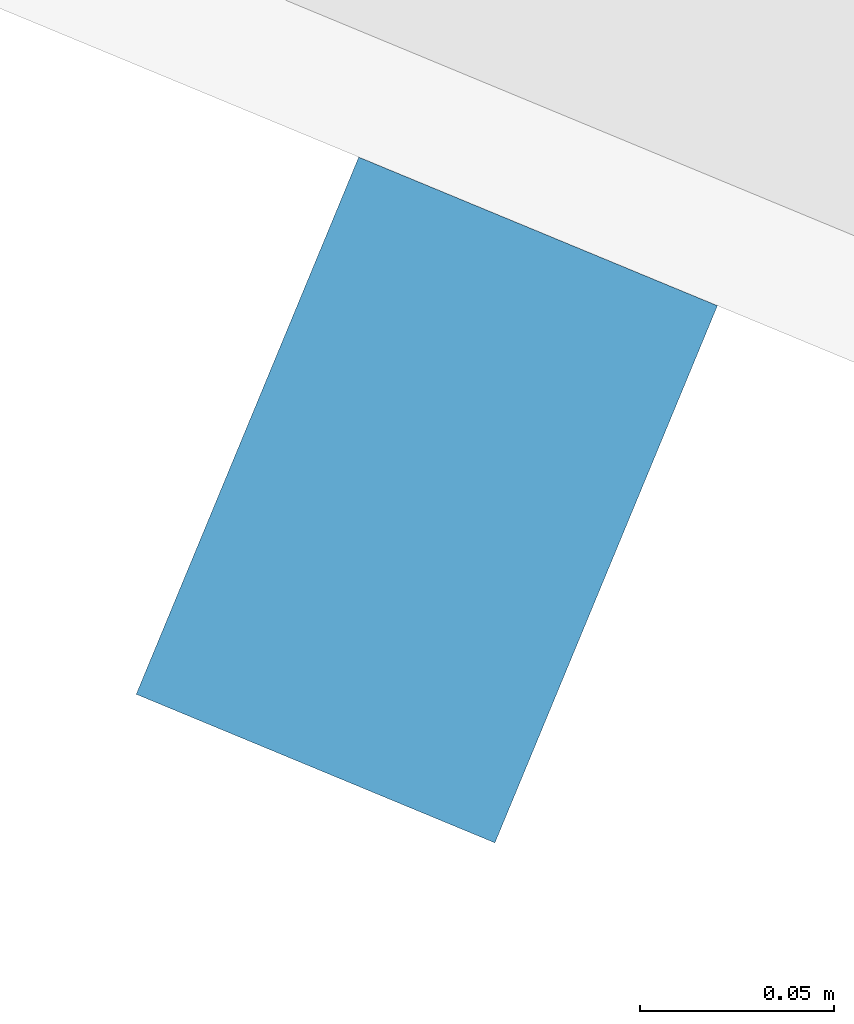
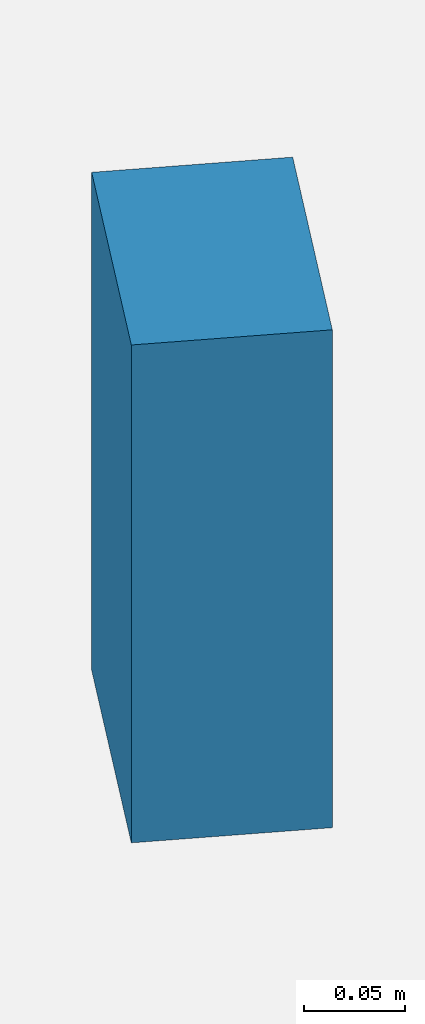
# One storey, part 9 of 30: 1 discrete accessory.
"""IFC4 building model written with IfcOpenShell, lengths in metres."""

from ifc_helpers import new_model, si_unit, direction, frame, origin, origin_2d, place, context, subcontext, project, spatial, rectangle, extrude, material, type_object, element, save


model = new_model("IFC4")

# Units and contexts
model_context = context("Model", 3, precision=1e-05, world=origin(), true_north=direction((0.0, 1.0)))
body_context = subcontext(model_context, "Body", "Model", "MODEL_VIEW")
ifc_project = project(units=[si_unit("LENGTHUNIT", "METRE"), si_unit("AREAUNIT", "SQUARE_METRE"), si_unit("VOLUMEUNIT", "CUBIC_METRE"), si_unit("PLANEANGLEUNIT", "RADIAN"), si_unit("MASSUNIT", "GRAM", prefix="KILO")], contexts=[model_context])

# Site, building, storey
site_placement = place(None, origin())
site = spatial("IfcSite", under=ifc_project, at=site_placement, CompositionType="ELEMENT")
building_placement = place(site_placement, origin())
building = spatial("IfcBuilding", under=site, at=building_placement, Name="Qamariyya Broadcast Tower", CompositionType="ELEMENT")
storey_placement = place(building_placement, frame((0.0, 0.0, 98.699951171875)))
storey = spatial("IfcBuildingStorey", under=building, at=storey_placement, Name="L21", CompositionType="ELEMENT", Elevation=98.699951171875)

# Discrete accessory
ifc_material = material(Name="Stainless steel 316", Category="steel")
discrete_accessory_type = type_object("IfcDiscreteAccessoryType", Name="Slab edge fixing angle, stainless steel", PredefinedType="BRACKET", material=ifc_material)
discrete_accessory_placement = place(storey_placement, frame((-33.904296875, -71.6875, 3.2998046875), z_axis=(0.0, 0.0, 1.0), x_axis=(0.923879532511, -0.382683432365, 0.0)))
element("IfcDiscreteAccessory", 1, at=discrete_accessory_placement, inside=storey, type_object=discrete_accessory_type, Name="e-br-L21-06-0", PredefinedType="BRACKET", context=body_context, shape_type="SweptSolid", body=[
    extrude(rectangle(XDim=0.10009765625, YDim=0.14990234375, at=origin_2d()), origin(), (0.0, 0.0, 1.0), 0.300048828125),
])

save(model, "model.ifc")
